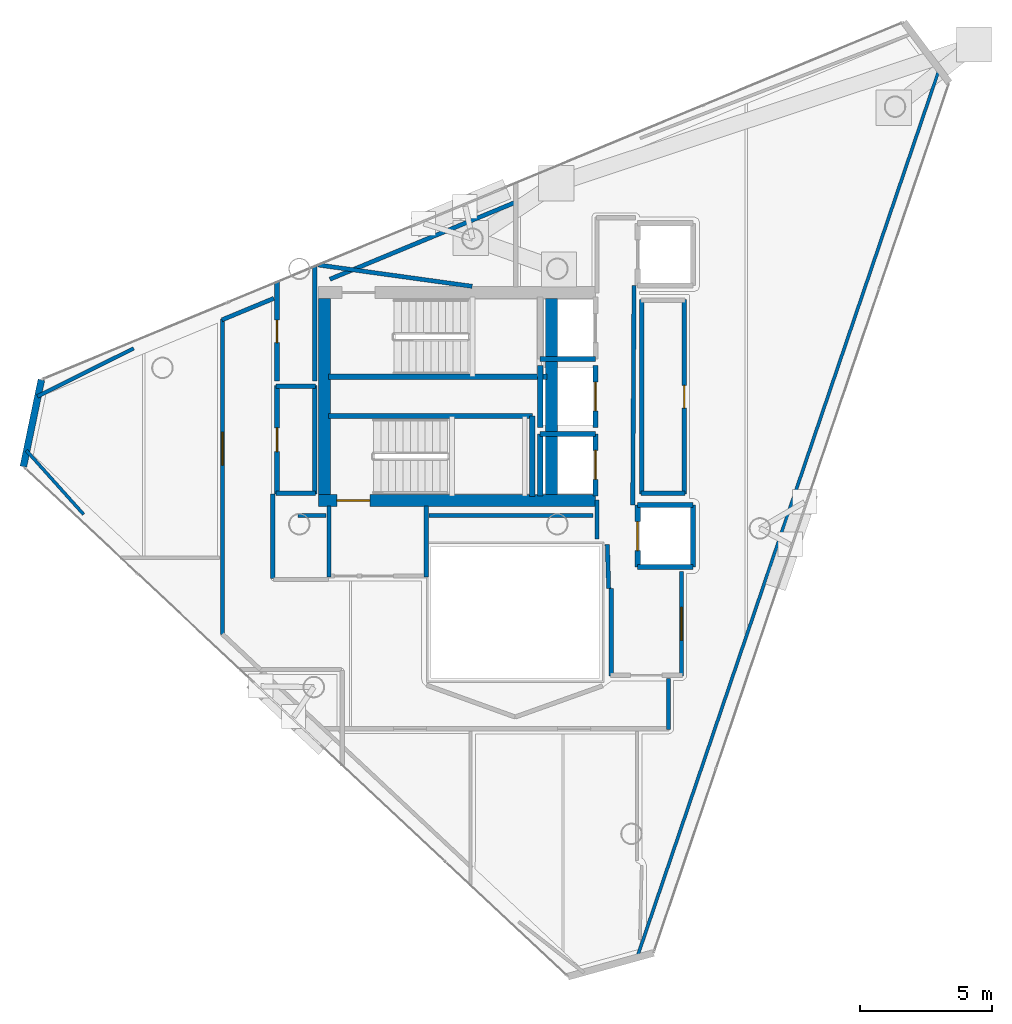
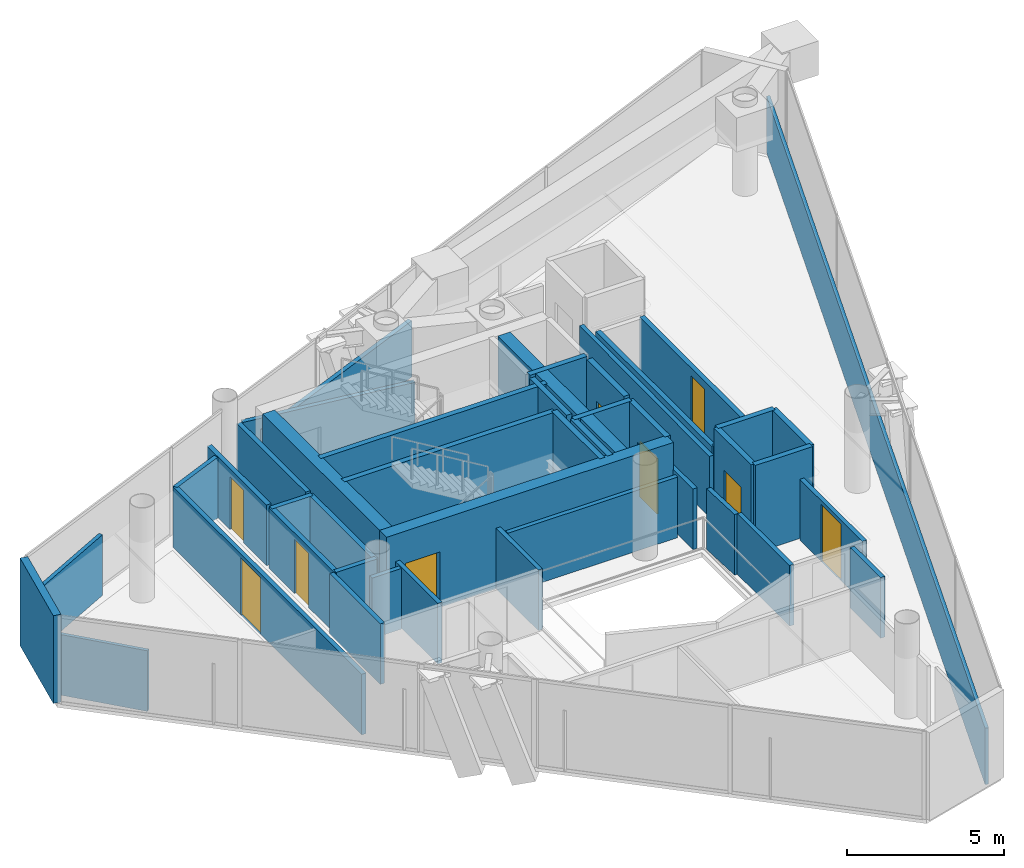
# One storey, part 15 of 18: 44 walls, 9 doors, 9 openings.
"""IFC4 building model written with IfcOpenShell, lengths in metres."""

from ifc_helpers import new_model, si_unit, direction, frame, frame_2d, origin, place, context, subcontext, project, spatial, rectangle, extrude, material, layer, layer_set, type_object, element, fill, save


model = new_model("IFC4")

# Units and contexts
model_context = context("Model", 3, precision=1e-05, world=origin(), true_north=direction((0.0, 1.0)))
body_context = subcontext(model_context, "Body", "Model", "MODEL_VIEW")
ifc_project = project(units=[si_unit("LENGTHUNIT", "METRE"), si_unit("AREAUNIT", "SQUARE_METRE"), si_unit("VOLUMEUNIT", "CUBIC_METRE"), si_unit("PLANEANGLEUNIT", "RADIAN"), si_unit("MASSUNIT", "GRAM", prefix="KILO")], contexts=[model_context])

# Site, building, storey
site_placement = place(None, origin())
site = spatial("IfcSite", under=ifc_project, at=site_placement, CompositionType="ELEMENT")
building_placement = place(site_placement, origin())
building = spatial("IfcBuilding", under=site, at=building_placement, Name="Qianvela Tower", CompositionType="ELEMENT")
storey_placement = place(building_placement, frame((0.0, 0.0, 348.10009765625)))
storey = spatial("IfcBuildingStorey", under=building, at=storey_placement, Name="L90", CompositionType="ELEMENT", Elevation=348.10009765625)

# Wall
ifc_material_1 = material(Name="Terracotta Cladding on Concrete C40", Category="masonry")
ifc_layer_1 = layer(ifc_material_1, 0.260009765625)
ifc_layer_set_1 = layer_set([ifc_layer_1], Name="Terracotta Cladding on Concrete C40")
wall_type_1 = type_object("IfcWallType", Name="TERRACOTTA-WALL-260", PredefinedType="SOLIDWALL", material=ifc_layer_set_1)
wall_1_placement = place(storey_placement, frame((18.802734375, 29.335205078125, 0.0), z_axis=(0.0, 0.0, 1.0), x_axis=(-0.203355362811, -0.979104997646, 0.0)))
element("IfcWall", 1, at=wall_1_placement, inside=storey, type_object=wall_type_1, Name="L90 Terracotta Chamfer Facet Wall 3", PredefinedType="SOLIDWALL", context=body_context, shape_type="SweptSolid", body=[
    extrude(rectangle(XDim=3.369873046875, YDim=0.260009765625, at=frame_2d((1.68505859375, 0.0))), origin(), (0.0, 0.0, 1.0), 3.39990234375),
])

# Wall, opening, door
ifc_material_2 = material(Name="Concrete C50", Category="concrete")
ifc_layer_2 = layer(ifc_material_2, 0.449951171875)
ifc_layer_set_2 = layer_set([ifc_layer_2], Name="Concrete C50")
wall_type_2 = type_object("IfcWallType", Name="WT-CORE-450", PredefinedType="SHEAR", material=ifc_layer_set_2)
wall_2_placement = place(storey_placement, frame((29.330078125, 24.7548828125, 0.0), z_axis=(0.0, 0.0, 1.0), x_axis=(1.0, 0.0, 0.0)))
wall_2 = element("IfcWall", 2, at=wall_2_placement, inside=storey, type_object=wall_type_2, Name="L90 South Core Shear Wall", PredefinedType="SHEAR", context=body_context, shape_type="SweptSolid", body=[
    extrude(rectangle(XDim=10.52001953125, YDim=0.449951171875, at=frame_2d((5.260009765625, 0.0))), origin(), (0.0, 0.0, 1.0), 3.39990234375),
])
opening_1_placement = place(wall_2_placement, frame((0.695068359375, 0.0, 0.0)))
opening_1 = element("IfcOpeningElement", 3, at=opening_1_placement, cuts=wall_2, Name="Opening D-ST1", PredefinedType="OPENING", context=body_context, shape_type="SweptSolid", body=[
    extrude(rectangle(XDim=1.25, YDim=2.14990234375, at=frame_2d((0.625, 1.074951171875))), frame((0.0, 0.23486328125, 0.0), z_axis=(0.0, -1.0, 0.0), x_axis=(1.0, 0.0, 0.0)), (0.0, 0.0, 1.0), 0.469970703125),
])
ifc_material_3 = material(Name="Galvanised Fire Steel Q355B", Category="steel")
door_type_1 = type_object("IfcDoorType", Name="DT-STAIR-FD90", OperationType="NOTDEFINED", PredefinedType="DOOR", material=ifc_material_3)
door_1_placement = place(opening_1_placement, origin())
door_1 = element("IfcDoor", 4, at=door_1_placement, inside=storey, type_object=door_type_1, Name="L90 Stair ST-2 Exit Door", OperationType="SINGLE_SWING_RIGHT", OverallHeight=2.14990234375, OverallWidth=1.25, PredefinedType="DOOR", context=body_context, shape_type="SweptSolid", body=[
    extrude(rectangle(XDim=1.25, YDim=2.14990234375, at=frame_2d((0.625, 1.074951171875))), frame((0.0, 0.02490234375, 0.0), z_axis=(0.0, -1.0, 0.0), x_axis=(1.0, 0.0, 0.0)), (0.0, 0.0, 1.0), 0.050048828125),
])
fill(opening_1, door_1)

# Walls
for number, where, z_axis, x_axis, name in (
    (5, (29.554931640625, 24.97998046875, 0.0), (0.0, 0.0, 1.0), (0.0, 1.0, 0.0), "L90 West Core Shear Wall"),
    (6, (38.179931640625, 24.97998046875, 0.0), (0.0, 0.0, 1.0), (0.0, 1.0, 0.0), "L90 East Spine Core Shear Wall"),
):
    element("IfcWall", number, at=place(storey_placement, frame(where, z_axis=z_axis, x_axis=x_axis)), inside=storey, type_object=wall_type_2, Name=name, PredefinedType="SHEAR", context=body_context, shape_type="SweptSolid", body=[
        extrude(rectangle(XDim=7.43994140625, YDim=0.449951171875, at=frame_2d((3.719970703125, 0.0))), origin(), (0.0, 0.0, 1.0), 3.39990234375),
    ])
ifc_material_4 = material(Name="Fire-Rated Gypsum and Concrete Block", Category="concrete")
ifc_layer_3 = layer(ifc_material_4, 0.159912109375)
ifc_layer_set_3 = layer_set([ifc_layer_3], Name="Fire-Rated Gypsum and Concrete Block")
wall_type_3 = type_object("IfcWallType", Name="WT-CORR-160", PredefinedType="PARTITIONING", material=ifc_layer_set_3)
wall_3_placement = place(storey_placement, frame((29.761962890625, 33.154296875, 0.0), z_axis=(0.0, 0.0, 1.0), x_axis=(0.923696881278, 0.38312409415, 0.0)))
element("IfcWall", 7, at=wall_3_placement, inside=storey, type_object=wall_type_3, Name="L90 Partition 1", PredefinedType="PARTITIONING", context=body_context, shape_type="SweptSolid", body=[
    extrude(rectangle(XDim=7.686279296875, YDim=0.159912109375, at=frame_2d((3.84326171875, 0.0))), origin(), (0.0, 0.0, 1.0), 2.177978515625),
])
wall_4_placement = place(storey_placement, frame((35.1630859375, 32.885009765625, 0.0), z_axis=(0.0, 0.0, 1.0), x_axis=(-0.990514647944, 0.137407176701, 0.0)))
element("IfcWall", 8, at=wall_4_placement, inside=storey, type_object=wall_type_3, Name="L90 Partition 3 seg 1", PredefinedType="PARTITIONING", context=body_context, shape_type="SweptSolid", body=[
    extrude(rectangle(XDim=5.90234375, YDim=0.159912109375, at=frame_2d((2.951171875, 0.0))), origin(), (0.0, 0.0, 1.0), 2.349853515625),
])
for number, where, z_axis, x_axis, name in (
    (9, (29.73095703125, 21.85009765625, 0.0), (0.0, 0.0, 1.0), (0.0, 1.0, 0.0), "L90 Partition 5"),
    (10, (33.4189453125, 24.5419921875, 0.0), (0.0, 0.0, 1.0), (0.0, -1.0, 0.0), "L90 Partition 7"),
):
    element("IfcWall", number, at=place(storey_placement, frame(where, z_axis=z_axis, x_axis=x_axis)), inside=storey, type_object=wall_type_3, Name=name, PredefinedType="PARTITIONING", context=body_context, shape_type="SweptSolid", body=[
        extrude(rectangle(XDim=2.69189453125, YDim=0.159912109375, at=frame_2d((1.345947265625, 0.0))), origin(), (0.0, 0.0, 1.0), 2.349853515625),
    ])
wall_5_placement = place(storey_placement, frame((40.35107421875, 21.40087890625, 0.0), z_axis=(0.0, 0.0, 1.0), x_axis=(-0.031058045979, 0.999517582527, 0.0)))
element("IfcWall", 11, at=wall_5_placement, inside=storey, type_object=wall_type_3, Name="L90 Partition 8", PredefinedType="PARTITIONING", context=body_context, shape_type="SweptSolid", body=[
    extrude(rectangle(XDim=1.68212890625, YDim=0.159912109375, at=frame_2d((0.841064453125, 0.0))), origin(), (0.0, 0.0, 1.0), 2.349853515625),
])
wall_6_placement = place(storey_placement, frame((39.910888671875, 23.280029296875, 0.0), z_axis=(0.0, 0.0, 1.0), x_axis=(0.0, 1.0, 0.0)))
element("IfcWall", 12, at=wall_6_placement, inside=storey, type_object=wall_type_3, Name="L90 Partition 9", PredefinedType="PARTITIONING", context=body_context, shape_type="SweptSolid", body=[
    extrude(rectangle(XDim=1.47998046875, YDim=0.159912109375, at=frame_2d((0.739990234375, 0.0))), origin(), (0.0, 0.0, 1.0), 2.349853515625),
])
wall_7_placement = place(storey_placement, frame((41.3134765625, 32.919921875, 0.0), z_axis=(0.0, 0.0, 1.0), x_axis=(-0.005942518022, -0.999982343084, 0.0)))
element("IfcWall", 13, at=wall_7_placement, inside=storey, type_object=wall_type_3, Name="L90 Partition 13 seg 2", PredefinedType="PARTITIONING", context=body_context, shape_type="SweptSolid", body=[
    extrude(rectangle(XDim=8.340087890625, YDim=0.159912109375, at=frame_2d((4.169921875, 0.0))), origin(), (0.0, 0.0, 1.0), 2.349853515625),
])

# Wall, opening, door
wall_8_placement = place(storey_placement, frame((43.118896484375, 22.050048828125, 0.0), z_axis=(0.0, 0.0, 1.0), x_axis=(0.0, -1.0, 0.0)))
wall_8 = element("IfcWall", 14, at=wall_8_placement, inside=storey, type_object=wall_type_3, Name="L90 Partition 15", PredefinedType="PARTITIONING", context=body_context, shape_type="SweptSolid", body=[
    extrude(rectangle(XDim=3.969970703125, YDim=0.159912109375, at=frame_2d((1.98486328125, 0.0))), origin(), (0.0, 0.0, 1.0), 2.349853515625),
])
opening_2_placement = place(wall_8_placement, frame((1.360107421875, 0.0, 0.0)))
opening_2 = element("IfcOpeningElement", 15, at=opening_2_placement, cuts=wall_8, Name="Opening D-LG1", PredefinedType="OPENING", context=body_context, shape_type="SweptSolid", body=[
    extrude(rectangle(XDim=1.25, YDim=2.199951171875, at=frame_2d((0.625, 1.10009765625))), frame((0.0, 0.08984375, 0.0), z_axis=(0.0, -1.0, 0.0), x_axis=(1.0, 0.0, 0.0)), (0.0, 0.0, 1.0), 0.179931640625),
])
ifc_material_5 = material(Name="Anodised Aluminium Acoustic Glass Door", Category="aluminium")
door_type_2 = type_object("IfcDoorType", Name="DT-LOUNGE-1250", OperationType="NOTDEFINED", PredefinedType="DOOR", material=ifc_material_5)
door_2_placement = place(opening_2_placement, origin())
door_2 = element("IfcDoor", 16, at=door_2_placement, inside=storey, type_object=door_type_2, Name="L90 Door Media Practice Cinema L90-03 to L90 Lift Lobby", OperationType="SINGLE_SWING_LEFT", OverallHeight=2.199951171875, OverallWidth=1.25, PredefinedType="DOOR", context=body_context, shape_type="SweptSolid", body=[
    extrude(rectangle(XDim=1.25, YDim=2.199951171875, at=frame_2d((0.625, 1.10009765625))), frame((0.0, 0.02490234375, 0.0), z_axis=(0.0, -1.0, 0.0), x_axis=(1.0, 0.0, 0.0)), (0.0, 0.0, 1.0), 0.050048828125),
])
fill(opening_2, door_2)

# Walls
wall_9_placement = place(storey_placement, frame((40.450927734375, 18.080078125, 0.0), z_axis=(0.0, 0.0, 1.0), x_axis=(0.0, 1.0, 0.0)))
element("IfcWall", 17, at=wall_9_placement, inside=storey, type_object=wall_type_3, Name="L90 Partition 17 seg 1", PredefinedType="PARTITIONING", context=body_context, shape_type="SweptSolid", body=[
    extrude(rectangle(XDim=3.31982421875, YDim=0.159912109375, at=frame_2d((1.659912109375, 0.0))), origin(), (0.0, 0.0, 1.0), 2.349853515625),
])
wall_10_placement = place(storey_placement, frame((29.6201171875, 24.180908203125, 0.0), z_axis=(0.0, 0.0, 1.0), x_axis=(-1.0, 0.0, 0.0)))
element("IfcWall", 18, at=wall_10_placement, inside=storey, type_object=wall_type_3, Name="L90 Partition 35", PredefinedType="PARTITIONING", context=body_context, shape_type="SweptSolid", body=[
    extrude(rectangle(XDim=1.070068359375, YDim=0.159912109375, at=frame_2d((0.53515625, 0.0))), origin(), (0.0, 0.0, 1.0), 2.349853515625),
])
wall_11_placement = place(storey_placement, frame((39.75, 24.180908203125, 0.0), z_axis=(0.0, 0.0, 1.0), x_axis=(-1.0, 0.0, 0.0)))
element("IfcWall", 19, at=wall_11_placement, inside=storey, type_object=wall_type_3, Name="L90 Partition 43", PredefinedType="PARTITIONING", context=body_context, shape_type="SweptSolid", body=[
    extrude(rectangle(XDim=6.219970703125, YDim=0.159912109375, at=frame_2d((3.10986328125, 0.0))), origin(), (0.0, 0.0, 1.0), 2.349853515625),
])
wall_12_placement = place(storey_placement, frame((42.618896484375, 17.97998046875, 0.0), z_axis=(0.0, 0.0, 1.0), x_axis=(0.0, -1.0, 0.0)))
element("IfcWall", 20, at=wall_12_placement, inside=storey, type_object=wall_type_3, Name="L90 Partition 47", PredefinedType="PARTITIONING", context=body_context, shape_type="SweptSolid", body=[
    extrude(rectangle(XDim=1.929931640625, YDim=0.159912109375, at=frame_2d((0.96484375, 0.0))), origin(), (0.0, 0.0, 1.0), 2.349853515625),
])

# Wall, opening, door
wall_13_placement = place(storey_placement, frame((25.680908203125, 19.659912109375, 0.0), z_axis=(0.0, 0.0, 1.0), x_axis=(0.0, 1.0, 0.0)))
wall_13 = element("IfcWall", 21, at=wall_13_placement, inside=storey, type_object=wall_type_3, Name="L90 Partition 52", PredefinedType="PARTITIONING", context=body_context, shape_type="SweptSolid", body=[
    extrude(rectangle(XDim=11.9794921875, YDim=0.159912109375, at=frame_2d((5.98974609375, 0.0))), origin(), (0.0, 0.0, 1.0), 2.349853515625),
])
opening_3_placement = place(wall_13_placement, frame((6.435302734375, 0.0, 0.0)))
opening_3 = element("IfcOpeningElement", 22, at=opening_3_placement, cuts=wall_13, Name="Opening D-LG1", PredefinedType="OPENING", context=body_context, shape_type="SweptSolid", body=[
    extrude(rectangle(XDim=1.25, YDim=2.199951171875, at=frame_2d((0.625, 1.10009765625))), frame((0.0, 0.08984375, 0.0), z_axis=(0.0, -1.0, 0.0), x_axis=(1.0, 0.0, 0.0)), (0.0, 0.0, 1.0), 0.179931640625),
])
door_3_placement = place(opening_3_placement, origin())
door_3 = element("IfcDoor", 23, at=door_3_placement, inside=storey, type_object=door_type_2, Name="L90 Door Student Fitness Gym L90-04 to L90 Floor Corridor", OperationType="SINGLE_SWING_RIGHT", OverallHeight=2.199951171875, OverallWidth=1.25, PredefinedType="DOOR", context=body_context, shape_type="SweptSolid", body=[
    extrude(rectangle(XDim=1.25, YDim=2.199951171875, at=frame_2d((0.625, 1.10009765625))), frame((0.0, 0.02490234375, 0.0), z_axis=(0.0, -1.0, 0.0), x_axis=(1.0, 0.0, 0.0)), (0.0, 0.0, 1.0), 0.050048828125),
])
fill(opening_3, door_3)

# Walls
wall_14_placement = place(storey_placement, frame((25.661865234375, 31.610595703125, 0.0), z_axis=(0.0, 0.0, 1.0), x_axis=(0.923688761003, 0.38314367122, 0.0)))
element("IfcWall", 24, at=wall_14_placement, inside=storey, type_object=wall_type_3, Name="L90 Partition 53", PredefinedType="PARTITIONING", context=body_context, shape_type="SweptSolid", body=[
    extrude(rectangle(XDim=2.1328125, YDim=0.159912109375, at=frame_2d((1.06640625, 0.0))), origin(), (0.0, 0.0, 1.0), 2.349853515625),
])
wall_15_placement = place(storey_placement, frame((27.589111328125, 25.0, 0.0), z_axis=(0.0, 0.0, 1.0), x_axis=(0.0, -1.0, 0.0)))
element("IfcWall", 25, at=wall_15_placement, inside=storey, type_object=wall_type_3, Name="L90 Partition 54 seg 2", PredefinedType="PARTITIONING", context=body_context, shape_type="SweptSolid", body=[
    extrude(rectangle(XDim=3.219970703125, YDim=0.159912109375, at=frame_2d((1.60986328125, 0.0))), origin(), (0.0, 0.0, 1.0), 2.349853515625),
])
ifc_material_6 = material(Name="Insulated Gypsum Stud Partition")
ifc_layer_4 = layer(ifc_material_6, 0.1201171875)
ifc_layer_set_4 = layer_set([ifc_layer_4], Name="Insulated Gypsum Stud Partition")
wall_type_4 = type_object("IfcWallType", Name="WT-PART-120", PredefinedType="PARTITIONING", material=ifc_layer_set_4)
wall_16_placement = place(storey_placement, frame((52.912109375, 41.151611328125, 0.0), z_axis=(0.0, 0.0, 1.0), x_axis=(-0.322022446104, -0.946732034002, 0.0)))
element("IfcWall", 26, at=wall_16_placement, inside=storey, type_object=wall_type_4, Name="L90 Partition 75", PredefinedType="PARTITIONING", context=body_context, shape_type="SweptSolid", body=[
    extrude(rectangle(XDim=35.68310546875, YDim=0.1201171875, at=frame_2d((17.841552734375, 0.0))), origin(), (0.0, 0.0, 1.0), 2.177978515625),
])
wall_17_placement = place(storey_placement, frame((20.406494140625, 24.220947265625, 0.0), z_axis=(0.0, 0.0, 1.0), x_axis=(-0.667227576858, 0.744853919021, 0.0)))
element("IfcWall", 27, at=wall_17_placement, inside=storey, type_object=wall_type_4, Name="L90 Partition 90 seg 1", PredefinedType="PARTITIONING", context=body_context, shape_type="SweptSolid", body=[
    extrude(rectangle(XDim=3.2646484375, YDim=0.1201171875, at=frame_2d((1.63232421875, 0.0))), origin(), (0.0, 0.0, 1.0), 2.349853515625),
])
ifc_material_7 = material(Name="Moisture-Resistant Acoustic Plumbing Wall")
ifc_layer_5 = layer(ifc_material_7, 0.175048828125)
ifc_layer_set_5 = layer_set([ifc_layer_5], Name="Moisture-Resistant Acoustic Plumbing Wall")
wall_type_5 = type_object("IfcWallType", Name="WT-PLUMB-175", PredefinedType="PLUMBINGWALL", material=ifc_layer_set_5)
wall_18_placement = place(storey_placement, frame((43.25, 25.031005859375, 0.0), z_axis=(0.0, 0.0, 1.0), x_axis=(-1.0, 0.0, 0.0)))
element("IfcWall", 28, at=wall_18_placement, inside=storey, type_object=wall_type_5, Name="L90 Partition 18", PredefinedType="PLUMBINGWALL", context=body_context, shape_type="SweptSolid", body=[
    extrude(rectangle(XDim=1.669921875, YDim=0.175048828125, at=frame_2d((0.8349609375, 0.0))), origin(), (0.0, 0.0, 1.0), 2.349853515625),
])
wall_19_placement = place(storey_placement, frame((41.611083984375, 25.0, 0.0), z_axis=(0.0, 0.0, 1.0), x_axis=(0.0, 1.0, 0.0)))
element("IfcWall", 29, at=wall_19_placement, inside=storey, type_object=wall_type_5, Name="L90 Partition 19", PredefinedType="PLUMBINGWALL", context=body_context, shape_type="SweptSolid", body=[
    extrude(rectangle(XDim=7.3798828125, YDim=0.175048828125, at=frame_2d((3.68994140625, 0.0))), origin(), (0.0, 0.0, 1.0), 2.349853515625),
])

# Wall, opening, door
wall_20_placement = place(storey_placement, frame((43.218994140625, 32.3798828125, 0.0), z_axis=(0.0, 0.0, 1.0), x_axis=(0.0, -1.0, 0.0)))
wall_20 = element("IfcWall", 30, at=wall_20_placement, inside=storey, type_object=wall_type_5, Name="L90 Partition 21", PredefinedType="PLUMBINGWALL", context=body_context, shape_type="SweptSolid", body=[
    extrude(rectangle(XDim=7.3798828125, YDim=0.175048828125, at=frame_2d((3.68994140625, 0.0))), origin(), (0.0, 0.0, 1.0), 2.349853515625),
])
opening_4_placement = place(wall_20_placement, frame((3.260009765625, 0.0, 0.0)))
opening_4 = element("IfcOpeningElement", 31, at=opening_4_placement, cuts=wall_20, Name="Opening D-WC1", PredefinedType="OPENING", context=body_context, shape_type="SweptSolid", body=[
    extrude(rectangle(XDim=0.860107421875, YDim=2.050048828125, at=frame_2d((0.43017578125, 1.02490234375))), frame((0.0, 0.097412109375, 0.0), z_axis=(0.0, -1.0, 0.0), x_axis=(1.0, 0.0, 0.0)), (0.0, 0.0, 1.0), 0.195068359375),
])
ifc_material_8 = material(Name="Moisture-Sealed Acoustic Timber Door", Category="wood")
door_type_3 = type_object("IfcDoorType", Name="DT-WC-860", OperationType="NOTDEFINED", PredefinedType="DOOR", material=ifc_material_8)
door_4_placement = place(opening_4_placement, origin())
door_4 = element("IfcDoor", 32, at=door_4_placement, inside=storey, type_object=door_type_3, Name="L90 Door L90 Accessible WC to Media Practice Cinema L90-03", OperationType="SINGLE_SWING_LEFT", OverallHeight=2.050048828125, OverallWidth=0.860107421875, PredefinedType="DOOR", context=body_context, shape_type="SweptSolid", body=[
    extrude(rectangle(XDim=0.860107421875, YDim=2.050048828125, at=frame_2d((0.43017578125, 1.02490234375))), frame((0.0, 0.02490234375, 0.0), z_axis=(0.0, -1.0, 0.0), x_axis=(1.0, 0.0, 0.0)), (0.0, 0.0, 1.0), 0.050048828125),
])
fill(opening_4, door_4)

wall_21_placement = place(storey_placement, frame((27.7509765625, 25.0, 0.0), z_axis=(0.0, 0.0, 1.0), x_axis=(0.0, 1.0, 0.0)))
wall_21 = element("IfcWall", 33, at=wall_21_placement, inside=storey, type_object=wall_type_5, Name="L90 Partition 22", PredefinedType="PLUMBINGWALL", context=body_context, shape_type="SweptSolid", body=[
    extrude(rectangle(XDim=4.1201171875, YDim=0.175048828125, at=frame_2d((2.06005859375, 0.0))), origin(), (0.0, 0.0, 1.0), 2.349853515625),
])
opening_5_placement = place(wall_21_placement, frame((1.610107421875, 0.0, 0.0)))
opening_5 = element("IfcOpeningElement", 34, at=opening_5_placement, cuts=wall_21, Name="Opening D-KT1", PredefinedType="OPENING", context=body_context, shape_type="SweptSolid", body=[
    extrude(rectangle(XDim=0.89990234375, YDim=2.10009765625, at=frame_2d((0.449951171875, 1.050048828125))), frame((0.0, 0.097412109375, 0.0), z_axis=(0.0, -1.0, 0.0), x_axis=(1.0, 0.0, 0.0)), (0.0, 0.0, 1.0), 0.195068359375),
])
ifc_material_9 = material(Name="Glazed Timber Kitchen Door", Category="wood")
door_type_4 = type_object("IfcDoorType", Name="DT-KITCH-900", OperationType="NOTDEFINED", PredefinedType="DOOR", material=ifc_material_9)
door_5_placement = place(opening_5_placement, origin())
door_5 = element("IfcDoor", 35, at=door_5_placement, inside=storey, type_object=door_type_4, Name="L90 Door L90 Core Tea Pantry West to L90 Floor Corridor", OperationType="SINGLE_SWING_RIGHT", OverallHeight=2.10009765625, OverallWidth=0.89990234375, PredefinedType="DOOR", context=body_context, shape_type="SweptSolid", body=[
    extrude(rectangle(XDim=0.89990234375, YDim=2.10009765625, at=frame_2d((0.449951171875, 1.050048828125))), frame((0.0, 0.02490234375, 0.0), z_axis=(0.0, -1.0, 0.0), x_axis=(1.0, 0.0, 0.0)), (0.0, 0.0, 1.0), 0.050048828125),
])
fill(opening_5, door_5)

# Walls
wall_22_placement = place(storey_placement, frame((27.719970703125, 29.089111328125, 0.0), z_axis=(0.0, 0.0, 1.0), x_axis=(1.0, 0.0, 0.0)))
element("IfcWall", 36, at=wall_22_placement, inside=storey, type_object=wall_type_5, Name="L90 Partition 23", PredefinedType="PLUMBINGWALL", context=body_context, shape_type="SweptSolid", body=[
    extrude(rectangle(XDim=1.5, YDim=0.175048828125, at=frame_2d((0.75, 0.0))), origin(), (0.0, 0.0, 1.0), 2.349853515625),
])
wall_23_placement = place(storey_placement, frame((29.18896484375, 29.1201171875, 0.0), z_axis=(0.0, 0.0, 1.0), x_axis=(0.0, -1.0, 0.0)))
element("IfcWall", 37, at=wall_23_placement, inside=storey, type_object=wall_type_5, Name="L90 Partition 24", PredefinedType="PLUMBINGWALL", context=body_context, shape_type="SweptSolid", body=[
    extrude(rectangle(XDim=4.1201171875, YDim=0.175048828125, at=frame_2d((2.06005859375, 0.0))), origin(), (0.0, 0.0, 1.0), 2.349853515625),
])
wall_24_placement = place(storey_placement, frame((29.219970703125, 25.031005859375, 0.0), z_axis=(0.0, 0.0, 1.0), x_axis=(-1.0, 0.0, 0.0)))
element("IfcWall", 38, at=wall_24_placement, inside=storey, type_object=wall_type_5, Name="L90 Partition 25", PredefinedType="PLUMBINGWALL", context=body_context, shape_type="SweptSolid", body=[
    extrude(rectangle(XDim=1.5, YDim=0.175048828125, at=frame_2d((0.75, 0.0))), origin(), (0.0, 0.0, 1.0), 2.349853515625),
])
wall_25_placement = place(storey_placement, frame((29.18896484375, 33.6630859375, 0.0), z_axis=(0.0, 0.0, 1.0), x_axis=(0.0, -1.0, 0.0)))
element("IfcWall", 39, at=wall_25_placement, inside=storey, type_object=wall_type_5, Name="L90 Partition 27", PredefinedType="PLUMBINGWALL", context=body_context, shape_type="SweptSolid", body=[
    extrude(rectangle(XDim=4.383056640625, YDim=0.175048828125, at=frame_2d((2.19140625, 0.0))), origin(), (0.0, 0.0, 1.0), 2.349853515625),
])

# Wall, opening, door
wall_26_placement = place(storey_placement, frame((27.7509765625, 29.280029296875, 0.0), z_axis=(0.0, 0.0, 1.0), x_axis=(0.0, 1.0, 0.0)))
wall_26 = element("IfcWall", 40, at=wall_26_placement, inside=storey, type_object=wall_type_5, Name="L90 Partition 29", PredefinedType="PLUMBINGWALL", context=body_context, shape_type="SweptSolid", body=[
    extrude(rectangle(XDim=3.78662109375, YDim=0.175048828125, at=frame_2d((1.893310546875, 0.0))), origin(), (0.0, 0.0, 1.0), 2.349853515625),
])
opening_6_placement = place(wall_26_placement, frame((1.46337890625, 0.0, 0.0)))
opening_6 = element("IfcOpeningElement", 41, at=opening_6_placement, cuts=wall_26, Name="Opening D-WC1", PredefinedType="OPENING", context=body_context, shape_type="SweptSolid", body=[
    extrude(rectangle(XDim=0.860107421875, YDim=2.050048828125, at=frame_2d((0.43017578125, 1.02490234375))), frame((0.0, 0.097412109375, 0.0), z_axis=(0.0, -1.0, 0.0), x_axis=(1.0, 0.0, 0.0)), (0.0, 0.0, 1.0), 0.195068359375),
])
door_6_placement = place(opening_6_placement, origin())
door_6 = element("IfcDoor", 42, at=door_6_placement, inside=storey, type_object=door_type_3, Name="L90 Door L90 Accessible WC to L90 Floor Corridor", OperationType="SINGLE_SWING_LEFT", OverallHeight=2.050048828125, OverallWidth=0.860107421875, PredefinedType="DOOR", context=body_context, shape_type="SweptSolid", body=[
    extrude(rectangle(XDim=0.860107421875, YDim=2.050048828125, at=frame_2d((0.43017578125, 1.02490234375))), frame((0.0, 0.02490234375, 0.0), z_axis=(0.0, -1.0, 0.0), x_axis=(1.0, 0.0, 0.0)), (0.0, 0.0, 1.0), 0.050048828125),
])
fill(opening_6, door_6)

# Walls
ifc_material_10 = material(Name="Acoustic Double Gypsum Stud Partition")
ifc_layer_6 = layer(ifc_material_10, 0.139892578125)
ifc_layer_set_6 = layer_set([ifc_layer_6], Name="Acoustic Double Gypsum Stud Partition")
wall_type_6 = type_object("IfcWallType", Name="WT-ROOM-140", PredefinedType="PARTITIONING", material=ifc_layer_set_6)
wall_27_placement = place(storey_placement, frame((18.65478515625, 28.704345703125, 0.0), z_axis=(0.0, 0.0, 1.0), x_axis=(0.894630165924, 0.446807415133, 0.0)))
element("IfcWall", 43, at=wall_27_placement, inside=storey, type_object=wall_type_6, Name="L90 Partition 92 seg 1", PredefinedType="PARTITIONING", context=body_context, shape_type="SweptSolid", body=[
    extrude(rectangle(XDim=4.087646484375, YDim=0.139892578125, at=frame_2d((2.0439453125, 0.0))), origin(), (0.0, 0.0, 1.0), 2.349853515625),
])
ifc_material_11 = material(Name="Concrete C50", Category="concrete")
ifc_layer_7 = layer(ifc_material_11, 0.199951171875)
ifc_layer_set_7 = layer_set([ifc_layer_7], Name="Concrete C50")
wall_type_7 = type_object("IfcWallType", Name="WT-SHAFT-200", PredefinedType="SOLIDWALL", material=ifc_layer_set_7)
wall_28_placement = place(storey_placement, frame((29.699951171875, 29.449951171875, 0.0), z_axis=(0.0, 0.0, 1.0), x_axis=(1.0, 0.0, 0.0)))
element("IfcWall", 44, at=wall_28_placement, inside=storey, type_object=wall_type_7, Name="L90 Stair ST-1 South Wall", PredefinedType="SOLIDWALL", context=body_context, shape_type="SweptSolid", body=[
    extrude(rectangle(XDim=8.300048828125, YDim=0.199951171875, at=frame_2d((4.14990234375, 0.0))), origin(), (0.0, 0.0, 1.0), 3.39990234375),
])
wall_29_placement = place(storey_placement, frame((29.699951171875, 27.9599609375, 0.0), z_axis=(0.0, 0.0, 1.0), x_axis=(1.0, 0.0, 0.0)))
element("IfcWall", 45, at=wall_29_placement, inside=storey, type_object=wall_type_7, Name="L90 Stair ST-2 North Wall", PredefinedType="SOLIDWALL", context=body_context, shape_type="SweptSolid", body=[
    extrude(rectangle(XDim=7.75, YDim=0.199951171875, at=frame_2d((3.875, 0.0))), origin(), (0.0, 0.0, 1.0), 3.39990234375),
])
wall_30_placement = place(storey_placement, frame((37.449951171875, 24.89990234375, 0.0), z_axis=(0.0, 0.0, 1.0), x_axis=(0.0, 1.0, 0.0)))
element("IfcWall", 46, at=wall_30_placement, inside=storey, type_object=wall_type_7, Name="L90 Stair ST-2 East Wall", PredefinedType="SOLIDWALL", context=body_context, shape_type="SweptSolid", body=[
    extrude(rectangle(XDim=3.06005859375, YDim=0.199951171875, at=frame_2d((1.530029296875, 0.0))), origin(), (0.0, 0.0, 1.0), 3.39990234375),
])
wall_31_placement = place(storey_placement, frame((37.75, 30.1201171875, 0.0), z_axis=(0.0, 0.0, 1.0), x_axis=(1.0, 0.0, 0.0)))
element("IfcWall", 47, at=wall_31_placement, inside=storey, type_object=wall_type_7, Name="L90 Lift FL-1 S Shaft Wall", PredefinedType="SOLIDWALL", context=body_context, shape_type="SweptSolid", body=[
    extrude(rectangle(XDim=2.10009765625, YDim=0.199951171875, at=frame_2d((1.050048828125, 0.0))), origin(), (0.0, 0.0, 1.0), 3.39990234375),
])

# Wall, opening, door
wall_32_placement = place(storey_placement, frame((39.85009765625, 24.919921875, 0.0), z_axis=(0.0, 0.0, 1.0), x_axis=(0.0, 1.0, 0.0)))
wall_32 = element("IfcWall", 48, at=wall_32_placement, inside=storey, type_object=wall_type_7, Name="L90 Lift FL-2 E Shaft Wall", PredefinedType="SOLIDWALL", context=body_context, shape_type="SweptSolid", body=[
    extrude(rectangle(XDim=2.360107421875, YDim=0.199951171875, at=frame_2d((1.18017578125, 0.0))), origin(), (0.0, 0.0, 1.0), 3.39990234375),
])
opening_7_placement = place(wall_32_placement, frame((0.6298828125, 0.0, 0.0)))
opening_7 = element("IfcOpeningElement", 49, at=opening_7_placement, cuts=wall_32, Name="Opening LD-01", PredefinedType="OPENING", context=body_context, shape_type="SweptSolid", body=[
    extrude(rectangle(XDim=1.10009765625, YDim=2.14990234375, at=frame_2d((0.550048828125, 1.074951171875))), frame((0.0, 0.10986328125, 0.0), z_axis=(0.0, -1.0, 0.0), x_axis=(1.0, 0.0, 0.0)), (0.0, 0.0, 1.0), 0.219970703125),
])
ifc_material_12 = material(Name="Brushed Stainless Steel Lift Landing Door", Category="steel")
door_type_5 = type_object("IfcDoorType", Name="DT-LIFT-SLIDE-1100", OperationType="SLIDING_TO_LEFT", PredefinedType="DOOR", material=ifc_material_12)
door_7_placement = place(opening_7_placement, origin())
door_7 = element("IfcDoor", 50, at=door_7_placement, inside=storey, type_object=door_type_5, Name="L90 Lift FL-2 Sliding Landing Door", OperationType="SLIDING_TO_LEFT", OverallHeight=2.14990234375, OverallWidth=1.10009765625, PredefinedType="DOOR", context=body_context, shape_type="SweptSolid", body=[
    extrude(rectangle(XDim=1.10009765625, YDim=2.14990234375, at=frame_2d((0.550048828125, 1.074951171875))), frame((0.0, 0.02490234375, 0.0), z_axis=(0.0, -1.0, 0.0), x_axis=(1.0, 0.0, 0.0)), (0.0, 0.0, 1.0), 0.050048828125),
])
fill(opening_7, door_7)

# Walls
wall_33_placement = place(storey_placement, frame((37.75, 24.919921875, 0.0), z_axis=(0.0, 0.0, 1.0), x_axis=(0.0, 1.0, 0.0)))
element("IfcWall", 51, at=wall_33_placement, inside=storey, type_object=wall_type_7, Name="L90 Lift FL-2 W Shaft Wall", PredefinedType="SOLIDWALL", context=body_context, shape_type="SweptSolid", body=[
    extrude(rectangle(XDim=2.360107421875, YDim=0.199951171875, at=frame_2d((1.18017578125, 0.0))), origin(), (0.0, 0.0, 1.0), 3.39990234375),
])
wall_34_placement = place(storey_placement, frame((37.75, 27.280029296875, 0.0), z_axis=(0.0, 0.0, 1.0), x_axis=(1.0, 0.0, 0.0)))
element("IfcWall", 52, at=wall_34_placement, inside=storey, type_object=wall_type_7, Name="L90 Lift FL-2 N Shaft Wall", PredefinedType="SOLIDWALL", context=body_context, shape_type="SweptSolid", body=[
    extrude(rectangle(XDim=2.10009765625, YDim=0.199951171875, at=frame_2d((1.050048828125, 0.0))), origin(), (0.0, 0.0, 1.0), 3.39990234375),
])

# Wall, opening, door
wall_35_placement = place(storey_placement, frame((39.85009765625, 27.52001953125, 0.0), z_axis=(0.0, 0.0, 1.0), x_axis=(0.0, 1.0, 0.0)))
wall_35 = element("IfcWall", 53, at=wall_35_placement, inside=storey, type_object=wall_type_7, Name="L90 Lift PL-H1 E Shaft Wall", PredefinedType="SOLIDWALL", context=body_context, shape_type="SweptSolid", body=[
    extrude(rectangle(XDim=2.35986328125, YDim=0.199951171875, at=frame_2d((1.179931640625, 0.0))), origin(), (0.0, 0.0, 1.0), 3.39990234375),
])
opening_8_placement = place(wall_35_placement, frame((0.6298828125, 0.0, 0.0)))
opening_8 = element("IfcOpeningElement", 54, at=opening_8_placement, cuts=wall_35, Name="Opening LD-01", PredefinedType="OPENING", context=body_context, shape_type="SweptSolid", body=[
    extrude(rectangle(XDim=1.10009765625, YDim=2.14990234375, at=frame_2d((0.550048828125, 1.074951171875))), frame((0.0, 0.10986328125, 0.0), z_axis=(0.0, -1.0, 0.0), x_axis=(1.0, 0.0, 0.0)), (0.0, 0.0, 1.0), 0.219970703125),
])
door_8_placement = place(opening_8_placement, origin())
door_8 = element("IfcDoor", 55, at=door_8_placement, inside=storey, type_object=door_type_5, Name="L90 Lift PL-H1 Sliding Landing Door", OperationType="SLIDING_TO_LEFT", OverallHeight=2.14990234375, OverallWidth=1.10009765625, PredefinedType="DOOR", context=body_context, shape_type="SweptSolid", body=[
    extrude(rectangle(XDim=1.10009765625, YDim=2.14990234375, at=frame_2d((0.550048828125, 1.074951171875))), frame((0.0, 0.02490234375, 0.0), z_axis=(0.0, -1.0, 0.0), x_axis=(1.0, 0.0, 0.0)), (0.0, 0.0, 1.0), 0.050048828125),
])
fill(opening_8, door_8)

# Walls
wall_36_placement = place(storey_placement, frame((37.75, 27.52001953125, 0.0), z_axis=(0.0, 0.0, 1.0), x_axis=(0.0, 1.0, 0.0)))
element("IfcWall", 56, at=wall_36_placement, inside=storey, type_object=wall_type_7, Name="L90 Lift PL-H1 W Shaft Wall", PredefinedType="SOLIDWALL", context=body_context, shape_type="SweptSolid", body=[
    extrude(rectangle(XDim=2.35986328125, YDim=0.199951171875, at=frame_2d((1.179931640625, 0.0))), origin(), (0.0, 0.0, 1.0), 3.39990234375),
])
wall_37_placement = place(storey_placement, frame((43.550048828125, 22.219970703125, 0.0), z_axis=(0.0, 0.0, 1.0), x_axis=(0.0, 1.0, 0.0)))
element("IfcWall", 57, at=wall_37_placement, inside=storey, type_object=wall_type_7, Name="L90 Lift PL-H2 E Shaft Wall", PredefinedType="SOLIDWALL", context=body_context, shape_type="SweptSolid", body=[
    extrude(rectangle(XDim=2.360107421875, YDim=0.199951171875, at=frame_2d((1.18017578125, 0.0))), origin(), (0.0, 0.0, 1.0), 3.39990234375),
])

# Wall, opening, door
wall_38_placement = place(storey_placement, frame((41.449951171875, 22.219970703125, 0.0), z_axis=(0.0, 0.0, 1.0), x_axis=(0.0, 1.0, 0.0)))
wall_38 = element("IfcWall", 58, at=wall_38_placement, inside=storey, type_object=wall_type_7, Name="L90 Lift PL-H2 W Shaft Wall", PredefinedType="SOLIDWALL", context=body_context, shape_type="SweptSolid", body=[
    extrude(rectangle(XDim=2.360107421875, YDim=0.199951171875, at=frame_2d((1.18017578125, 0.0))), origin(), (0.0, 0.0, 1.0), 3.39990234375),
])
opening_9_placement = place(wall_38_placement, frame((0.6298828125, 0.0, 0.0)))
opening_9 = element("IfcOpeningElement", 59, at=opening_9_placement, cuts=wall_38, Name="Opening LD-01", PredefinedType="OPENING", context=body_context, shape_type="SweptSolid", body=[
    extrude(rectangle(XDim=1.10009765625, YDim=2.14990234375, at=frame_2d((0.550048828125, 1.074951171875))), frame((0.0, 0.10986328125, 0.0), z_axis=(0.0, -1.0, 0.0), x_axis=(1.0, 0.0, 0.0)), (0.0, 0.0, 1.0), 0.219970703125),
])
door_9_placement = place(opening_9_placement, origin())
door_9 = element("IfcDoor", 60, at=door_9_placement, inside=storey, type_object=door_type_5, Name="L90 Lift PL-H2 Sliding Landing Door", OperationType="SLIDING_TO_LEFT", OverallHeight=2.14990234375, OverallWidth=1.10009765625, PredefinedType="DOOR", context=body_context, shape_type="SweptSolid", body=[
    extrude(rectangle(XDim=1.10009765625, YDim=2.14990234375, at=frame_2d((0.550048828125, 1.074951171875))), frame((0.0, 0.02490234375, 0.0), z_axis=(0.0, -1.0, 0.0), x_axis=(1.0, 0.0, 0.0)), (0.0, 0.0, 1.0), 0.050048828125),
])
fill(opening_9, door_9)

# Walls
for number, where, z_axis, x_axis, name in (
    (61, (41.449951171875, 24.580078125, 0.0), (0.0, 0.0, 1.0), (1.0, 0.0, 0.0), "L90 Lift PL-H2 N Shaft Wall"),
    (62, (41.449951171875, 22.219970703125, 0.0), (0.0, 0.0, 1.0), (1.0, 0.0, 0.0), "L90 Lift PL-H2 S Shaft Wall"),
):
    element("IfcWall", number, at=place(storey_placement, frame(where, z_axis=z_axis, x_axis=x_axis)), inside=storey, type_object=wall_type_7, Name=name, PredefinedType="SOLIDWALL", context=body_context, shape_type="SweptSolid", body=[
        extrude(rectangle(XDim=2.10009765625, YDim=0.199951171875, at=frame_2d((1.050048828125, 0.0))), origin(), (0.0, 0.0, 1.0), 3.39990234375),
    ])

save(model, "model.ifc")
